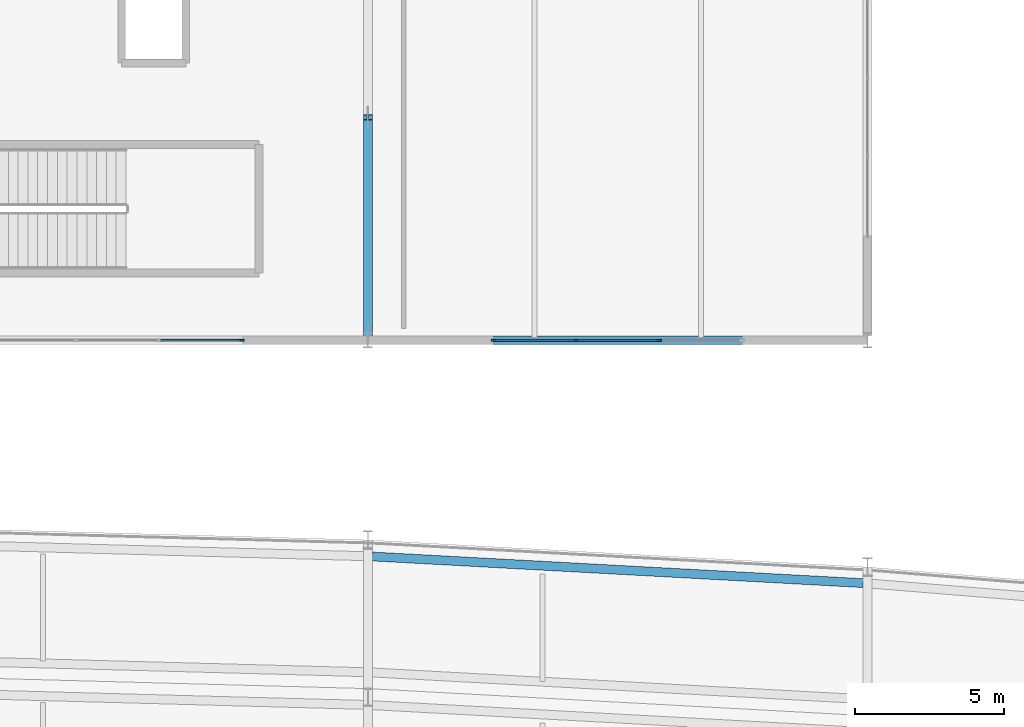
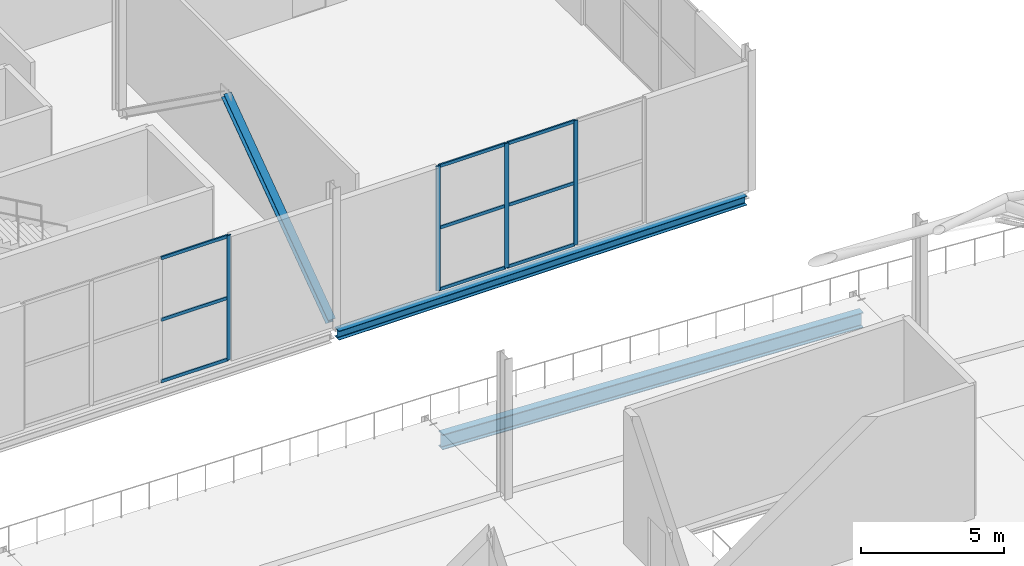
# One storey, part 39 of 100: 14 members, 2 beams, 2 elements without a shape of their own.
"""IFC4 building model written with IfcOpenShell, lengths in metres."""

from ifc_helpers import new_model, si_unit, direction, frame, origin, origin_2d, place, context, subcontext, project, spatial, rectangle, i_section, extrude, material, material_profile, profile_set, type_object, element, aggregate, save


model = new_model("IFC4")

# Units and contexts
model_context = context("Model", 3, precision=1e-05, world=origin(), true_north=direction((0.0, 1.0)))
body_context = subcontext(model_context, "Body", "Model", "MODEL_VIEW")
ifc_project = project(units=[si_unit("LENGTHUNIT", "METRE"), si_unit("AREAUNIT", "SQUARE_METRE"), si_unit("VOLUMEUNIT", "CUBIC_METRE"), si_unit("PLANEANGLEUNIT", "RADIAN"), si_unit("MASSUNIT", "GRAM", prefix="KILO")], contexts=[model_context])

# Site, building, storey
site_placement = place(None, origin())
site = spatial("IfcSite", under=ifc_project, at=site_placement, CompositionType="ELEMENT")
building_placement = place(site_placement, origin())
building = spatial("IfcBuilding", under=site, at=building_placement, Name="Kimbaza Rail Terminus", CompositionType="ELEMENT")
storey_placement = place(building_placement, frame((0.0, 0.0, 10.800048828125)))
storey = spatial("IfcBuildingStorey", under=building, at=storey_placement, Name="L02", CompositionType="ELEMENT", Elevation=10.800048828125)

# Curtain wall, member
ifc_material_1 = material(Name="Anodised aluminium framing and solar low-E glazing", Category="aluminium")
curtain_wall_type = type_object("IfcCurtainWallType", Name="ARC-CW-OP1", PredefinedType="USERDEFINED", material=ifc_material_1)
curtain_wall_1_placement = place(storey_placement, origin())
curtain_wall_1 = element("IfcCurtainWall", 1, at=curtain_wall_1_placement, inside=storey, type_object=curtain_wall_type, Name="Operations South Curtain Wall L02 Bay 5", ObjectType="UNITISED CURTAIN WALL", PredefinedType="USERDEFINED")
ifc_material_2 = material(Name="Anodised architectural aluminium", Category="aluminium")
ifc_material_profile_1 = material_profile(ifc_material_2, rectangle(XDim=0.06201171875, YDim=0.1650390625, at=origin_2d()), Name="MULLION 62x165")
ifc_profile_set_1 = profile_set([ifc_material_profile_1], Name="Anodised architectural aluminium")
member_type_1 = type_object("IfcMemberType", Name="ARC-CWM-05", PredefinedType="MULLION", material=ifc_profile_set_1)
member_1_placement = place(storey_placement, frame((134.968994140625, 103.0, 0.0), z_axis=(0.0, 0.0, 1.0), x_axis=(0.0, 1.0, 0.0)))
member_1 = element("IfcMember", 2, at=member_1_placement, type_object=member_type_1, Name="CW-05 mullion 4", PredefinedType="MULLION", context=body_context, shape_type="SweptSolid", body=[
    extrude(rectangle(XDim=0.06201171875, YDim=0.1650390625, at=origin_2d()), origin(), (0.0, 0.0, 1.0), 5.324951171875),
])

# Curtain wall, members
curtain_wall_2_placement = place(storey_placement, origin())
curtain_wall_2 = element("IfcCurtainWall", 3, at=curtain_wall_2_placement, inside=storey, type_object=curtain_wall_type, Name="Operations South Curtain Wall L02 Bay 6", ObjectType="UNITISED CURTAIN WALL", PredefinedType="USERDEFINED")
member_2_placement = place(storey_placement, frame((143.430908203125, 103.0, 0.0), z_axis=(0.0, 0.0, 1.0), x_axis=(0.0, 1.0, 0.0)))
member_2 = element("IfcMember", 4, at=member_2_placement, type_object=member_type_1, Name="CW-05 mullion 1", PredefinedType="MULLION", context=body_context, shape_type="SweptSolid", body=[
    extrude(rectangle(XDim=0.06201171875, YDim=0.1650390625, at=origin_2d()), origin(), (0.0, 0.0, 1.0), 5.324951171875),
])
member_3_placement = place(storey_placement, frame((146.199951171875, 103.0, 0.0), z_axis=(0.0, 0.0, 1.0), x_axis=(0.0, 1.0, 0.0)))
member_3 = element("IfcMember", 5, at=member_3_placement, type_object=member_type_1, Name="CW-05 mullion 2", PredefinedType="MULLION", context=body_context, shape_type="SweptSolid", body=[
    extrude(rectangle(XDim=0.06201171875, YDim=0.1650390625, at=origin_2d()), origin(), (0.0, 0.0, 1.0), 5.324951171875),
])
member_4_placement = place(storey_placement, frame((149.0, 103.0, 0.0), z_axis=(0.0, 0.0, 1.0), x_axis=(0.0, 1.0, 0.0)))
member_4 = element("IfcMember", 6, at=member_4_placement, type_object=member_type_1, Name="CW-05 mullion 3", PredefinedType="MULLION", context=body_context, shape_type="SweptSolid", body=[
    extrude(rectangle(XDim=0.06201171875, YDim=0.1650390625, at=origin_2d()), origin(), (0.0, 0.0, 1.0), 5.324951171875),
])

# Member
ifc_material_3 = material(Name="Anodised architectural aluminium", Category="aluminium")
ifc_material_profile_2 = material_profile(ifc_material_3, rectangle(XDim=0.06201171875, YDim=0.135009765625, at=origin_2d()), Name="TRANSOM 62x135")
ifc_profile_set_2 = profile_set([ifc_material_profile_2], Name="Anodised architectural aluminium")
member_type_2 = type_object("IfcMemberType", Name="ARC-CWT-05", PredefinedType="USERDEFINED", material=ifc_profile_set_2)
member_5_placement = place(storey_placement, frame((132.23095703125, 103.0, 0.031005859375), z_axis=(1.0, 0.0, 0.0), x_axis=(0.0, 1.0, 0.0)))
member_5 = element("IfcMember", 7, at=member_5_placement, type_object=member_type_2, Name="CW-05 transom 3.1", ObjectType="TRANSOM", PredefinedType="USERDEFINED", context=body_context, shape_type="SweptSolid", body=[
    extrude(rectangle(XDim=0.06201171875, YDim=0.135009765625, at=origin_2d()), origin(), (0.0, 0.0, 1.0), 2.70703125),
])

member_6_placement = place(storey_placement, frame((132.23095703125, 103.0, 2.662353515625), z_axis=(1.0, 0.0, 0.0), x_axis=(0.0, 1.0, 0.0)))
member_6 = element("IfcMember", 8, at=member_6_placement, type_object=member_type_2, Name="CW-05 transom 3.2", ObjectType="TRANSOM", PredefinedType="USERDEFINED", context=body_context, shape_type="SweptSolid", body=[
    extrude(rectangle(XDim=0.06201171875, YDim=0.135009765625, at=origin_2d()), origin(), (0.0, 0.0, 1.0), 2.70703125),
])

member_7_placement = place(storey_placement, frame((132.23095703125, 103.0, 5.2939453125), z_axis=(1.0, 0.0, 0.0), x_axis=(0.0, 1.0, 0.0)))
member_7 = element("IfcMember", 9, at=member_7_placement, type_object=member_type_2, Name="CW-05 transom 3.3", ObjectType="TRANSOM", PredefinedType="USERDEFINED", context=body_context, shape_type="SweptSolid", body=[
    extrude(rectangle(XDim=0.06201171875, YDim=0.135009765625, at=origin_2d()), origin(), (0.0, 0.0, 1.0), 2.70703125),
])

aggregate(curtain_wall_1, [member_1, member_5, member_6, member_7])

member_8_placement = place(storey_placement, frame((143.4619140625, 103.0, 0.031005859375), z_axis=(1.0, 0.0, 0.0), x_axis=(0.0, 1.0, 0.0)))
member_8 = element("IfcMember", 10, at=member_8_placement, type_object=member_type_2, Name="CW-05 transom 1.1", ObjectType="TRANSOM", PredefinedType="USERDEFINED", context=body_context, shape_type="SweptSolid", body=[
    extrude(rectangle(XDim=0.06201171875, YDim=0.135009765625, at=origin_2d()), origin(), (0.0, 0.0, 1.0), 2.70703125),
])

member_9_placement = place(storey_placement, frame((143.4619140625, 103.0, 2.662353515625), z_axis=(1.0, 0.0, 0.0), x_axis=(0.0, 1.0, 0.0)))
member_9 = element("IfcMember", 11, at=member_9_placement, type_object=member_type_2, Name="CW-05 transom 1.2", ObjectType="TRANSOM", PredefinedType="USERDEFINED", context=body_context, shape_type="SweptSolid", body=[
    extrude(rectangle(XDim=0.06201171875, YDim=0.135009765625, at=origin_2d()), origin(), (0.0, 0.0, 1.0), 2.70703125),
])

member_10_placement = place(storey_placement, frame((143.4619140625, 103.0, 5.2939453125), z_axis=(1.0, 0.0, 0.0), x_axis=(0.0, 1.0, 0.0)))
member_10 = element("IfcMember", 12, at=member_10_placement, type_object=member_type_2, Name="CW-05 transom 1.3", ObjectType="TRANSOM", PredefinedType="USERDEFINED", context=body_context, shape_type="SweptSolid", body=[
    extrude(rectangle(XDim=0.06201171875, YDim=0.135009765625, at=origin_2d()), origin(), (0.0, 0.0, 1.0), 2.70703125),
])

member_11_placement = place(storey_placement, frame((146.23095703125, 103.0, 0.031005859375), z_axis=(1.0, 0.0, 0.0), x_axis=(0.0, 1.0, 0.0)))
member_11 = element("IfcMember", 13, at=member_11_placement, type_object=member_type_2, Name="CW-05 transom 2.1", ObjectType="TRANSOM", PredefinedType="USERDEFINED", context=body_context, shape_type="SweptSolid", body=[
    extrude(rectangle(XDim=0.06201171875, YDim=0.135009765625, at=origin_2d()), origin(), (0.0, 0.0, 1.0), 2.738037109375),
])

member_12_placement = place(storey_placement, frame((146.23095703125, 103.0, 2.662353515625), z_axis=(1.0, 0.0, 0.0), x_axis=(0.0, 1.0, 0.0)))
member_12 = element("IfcMember", 14, at=member_12_placement, type_object=member_type_2, Name="CW-05 transom 2.2", ObjectType="TRANSOM", PredefinedType="USERDEFINED", context=body_context, shape_type="SweptSolid", body=[
    extrude(rectangle(XDim=0.06201171875, YDim=0.135009765625, at=origin_2d()), origin(), (0.0, 0.0, 1.0), 2.738037109375),
])

member_13_placement = place(storey_placement, frame((146.23095703125, 103.0, 5.2939453125), z_axis=(1.0, 0.0, 0.0), x_axis=(0.0, 1.0, 0.0)))
member_13 = element("IfcMember", 15, at=member_13_placement, type_object=member_type_2, Name="CW-05 transom 2.3", ObjectType="TRANSOM", PredefinedType="USERDEFINED", context=body_context, shape_type="SweptSolid", body=[
    extrude(rectangle(XDim=0.06201171875, YDim=0.135009765625, at=origin_2d()), origin(), (0.0, 0.0, 1.0), 2.738037109375),
])

aggregate(curtain_wall_2, [member_2, member_3, member_4, member_8, member_9, member_10, member_11, member_12, member_13])

# Beams
ifc_material_4 = material(Name="Steel S355", Category="steel")
ifc_material_profile_3 = material_profile(ifc_material_4, i_section(OverallWidth=0.300048828125, OverallDepth=0.389892578125, WebThickness=0.010986328125, FlangeThickness=0.01904296875, FilletRadius=0.027099609375, at=origin_2d()), Name="HEA 400")
ifc_profile_set_3 = profile_set([ifc_material_profile_3], Name="Steel S355")
beam_type_1 = type_object("IfcBeamType", Name="STR-BM-HEA400", PredefinedType="SPANDREL", material=ifc_profile_set_3)
beam_1_placement = place(storey_placement, frame((139.345947265625, 103.0, -0.43505859375), z_axis=(1.0, 0.0, 0.0), x_axis=(0.0, 1.0, 0.0)))
element("IfcBeam", 16, at=beam_1_placement, inside=storey, type_object=beam_type_1, Name="Operations Girder L02 X5-Y0", PredefinedType="SPANDREL", context=body_context, shape_type="SweptSolid", body=[
    extrude(i_section(OverallWidth=0.300048828125, OverallDepth=0.389892578125, WebThickness=0.010986328125, FlangeThickness=0.01904296875, FilletRadius=0.027099609375, at=origin_2d()), origin(), (0.0, 0.0, 1.0), 16.508056640625),
])
ifc_material_5 = material(Name="Steel S355", Category="steel")
ifc_material_profile_4 = material_profile(ifc_material_5, i_section(OverallWidth=0.300048828125, OverallDepth=0.64990234375, WebThickness=0.01611328125, FlangeThickness=0.031005859375, FilletRadius=0.027099609375, at=origin_2d()), Name="HEB 650")
ifc_profile_set_4 = profile_set([ifc_material_profile_4], Name="Steel S355")
beam_type_2 = type_object("IfcBeamType", Name="STR-BM-HEB650", PredefinedType="USERDEFINED", material=ifc_profile_set_4)
beam_2_placement = place(storey_placement, frame((139.3447265625, 95.729736328125, -0.5849609375), z_axis=(0.998530722194, -0.054188530475, 0.0), x_axis=(0.054188530475, 0.998530722194, 0.0)))
element("IfcBeam", 17, at=beam_2_placement, inside=storey, type_object=beam_type_2, Name="Viaduct Chorded Girder P4 Bay 08", ObjectType="GIRDER", PredefinedType="USERDEFINED", context=body_context, shape_type="SweptSolid", body=[
    extrude(i_section(OverallWidth=0.300048828125, OverallDepth=0.64990234375, WebThickness=0.01611328125, FlangeThickness=0.031005859375, FilletRadius=0.027099609375, at=origin_2d()), origin(), (0.0, 0.0, 1.0), 16.534912109375),
])

# Member
ifc_material_6 = material(Name="Steel S355", Category="steel")
ifc_material_profile_5 = material_profile(ifc_material_6, i_section(OverallWidth=0.300048828125, OverallDepth=0.300048828125, WebThickness=0.010986328125, FlangeThickness=0.01904296875, FilletRadius=0.027099609375, at=origin_2d()), Name="HEB 300")
ifc_profile_set_5 = profile_set([ifc_material_profile_5], Name="Steel S355")
member_type_3 = type_object("IfcMemberType", Name="STR-MB-HEB300", PredefinedType="BRACE", material=ifc_profile_set_5)
member_14_placement = place(storey_placement, frame((139.199951171875, 103.179931640625, 0.050048828125), z_axis=(0.0, 0.812609404068, 0.582808679088), x_axis=(-1.0, 0.0, 0.0)))
element("IfcMember", 18, at=member_14_placement, inside=storey, type_object=member_type_3, Name="Core Chevron Brace 7A", PredefinedType="BRACE", context=body_context, shape_type="SweptSolid", body=[
    extrude(i_section(OverallWidth=0.300048828125, OverallDepth=0.300048828125, WebThickness=0.010986328125, FlangeThickness=0.01904296875, FilletRadius=0.027099609375, at=origin_2d()), origin(), (0.0, 0.0, 1.0), 9.008056640625),
])

save(model, "model.ifc")
